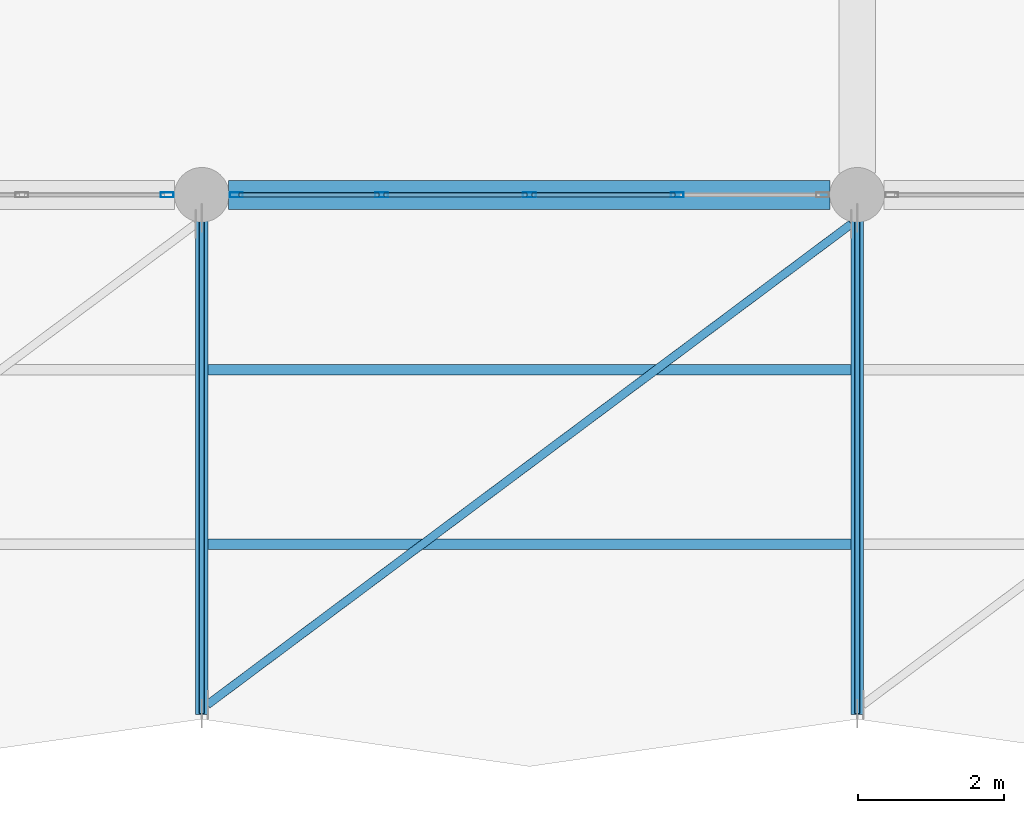
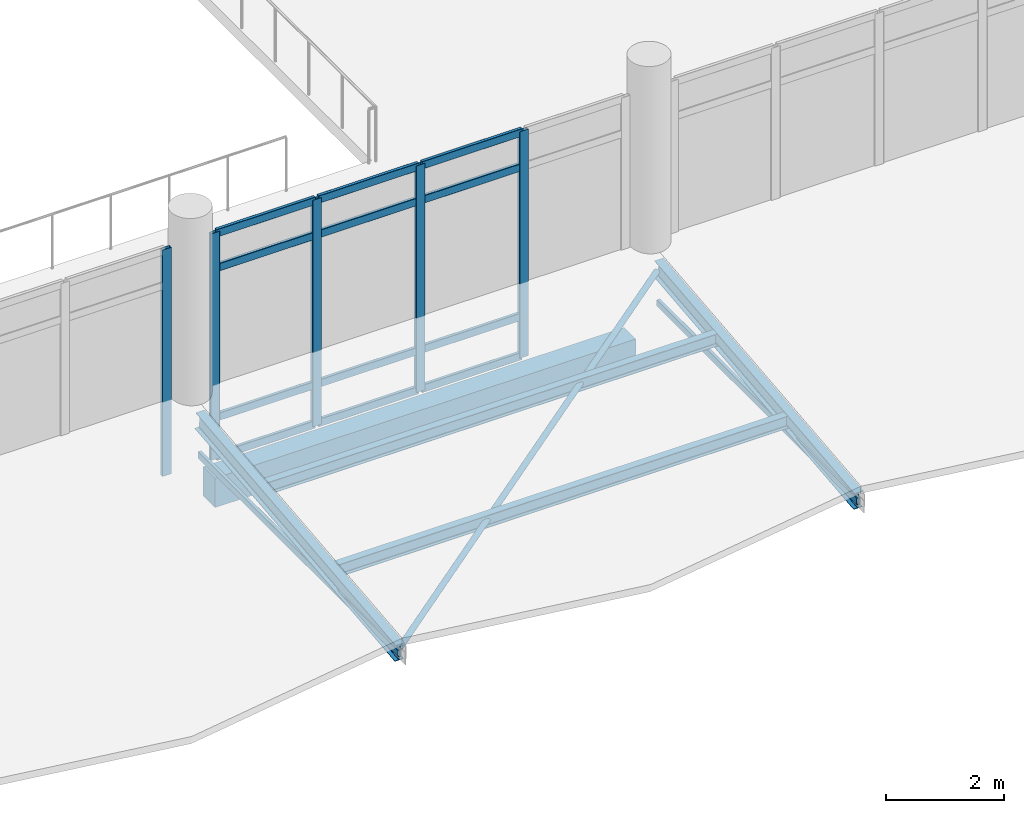
# One storey, part 38 of 180: 20 members, 5 beams, 2 elements without a shape of their own.
"""IFC4 building model written with IfcOpenShell, lengths in metres."""

from ifc_helpers import new_model, si_unit, direction, frame, origin, origin_2d, place, context, subcontext, project, spatial, rectangle, hollow_rectangle, hollow_circle, i_section, extrude, material, material_profile, profile_set, type_object, element, aggregate, save


model = new_model("IFC4")

# Units and contexts
model_context = context("Model", 3, precision=1e-05, world=origin(), true_north=direction((0.0, 1.0)))
body_context = subcontext(model_context, "Body", "Model", "MODEL_VIEW")
ifc_project = project(units=[si_unit("LENGTHUNIT", "METRE"), si_unit("AREAUNIT", "SQUARE_METRE"), si_unit("VOLUMEUNIT", "CUBIC_METRE"), si_unit("PLANEANGLEUNIT", "RADIAN"), si_unit("MASSUNIT", "GRAM", prefix="KILO")], contexts=[model_context])

# Site, building, storey
site_placement = place(None, origin())
site = spatial("IfcSite", under=ifc_project, at=site_placement, CompositionType="ELEMENT")
building_placement = place(site_placement, origin())
building = spatial("IfcBuilding", under=site, at=building_placement, Name="Lusvemor Sports Hall", CompositionType="ELEMENT")
storey_placement = place(building_placement, frame((0.0, 0.0, 5.39990234375)))
storey = spatial("IfcBuildingStorey", under=building, at=storey_placement, Name="L01", CompositionType="ELEMENT", Elevation=5.39990234375)

# Beams
ifc_material_1 = material(Name="Steel S355", Category="steel")
ifc_material_profile_1 = material_profile(ifc_material_1, i_section(OverallWidth=0.1708984375, OverallDepth=0.35498046875, WebThickness=0.007080078125, FlangeThickness=0.01171875, FilletRadius=0.014892578125, at=origin_2d()), Name="W360x51.0")
ifc_profile_set_1 = profile_set([ifc_material_profile_1], Name="Steel S355")
beam_type_1 = type_object("IfcBeamType", Name="BEAM_ST_360", PredefinedType="BEAM", material=ifc_profile_set_1)
for number, where, z_axis, x_axis, name in (
    (1, (93.60009765625, 0.080078125, 0.461181640625), (0.0, 0.99461932884, 0.103597252368), (-1.0, 0.0, 0.0), "Boulevard Canopy Rafter 10"),
    (2, (102.60009765625, 0.080078125, 0.461181640625), (0.0, 0.99461932884, 0.103597252368), (-1.0, 0.0, 0.0), "Boulevard Canopy Rafter 11"),
):
    element("IfcBeam", number, at=place(storey_placement, frame(where, z_axis=z_axis, x_axis=x_axis)), inside=storey, type_object=beam_type_1, Name=name, PredefinedType="BEAM", context=body_context, shape_type="SweptSolid", body=[
        extrude(i_section(OverallWidth=0.1708984375, OverallDepth=0.35498046875, WebThickness=0.007080078125, FlangeThickness=0.01171875, FilletRadius=0.014892578125, at=origin_2d()), origin(), (0.0, 0.0, 1.0), 6.836669921875),
    ])

# Member
ifc_material_2 = material(Name="Steel S355", Category="steel")
ifc_material_profile_2 = material_profile(ifc_material_2, hollow_circle(Radius=0.05712890625, WallThickness=0.00634765625, at=origin_2d()), Name="CHS114.3x6.3")
ifc_profile_set_2 = profile_set([ifc_material_profile_2], Name="Steel S355")
member_type_1 = type_object("IfcMemberType", Name="BRACE_CANOPY_114", PredefinedType="BRACE", material=ifc_profile_set_2)
member_1_placement = place(storey_placement, frame((93.679931640625, 0.199951171875, 0.4736328125), z_axis=(0.799750589505, 0.597101754721, 0.062197179156), x_axis=(-0.59826005728, 0.801302005403, 0.0)))
element("IfcMember", 3, at=member_1_placement, inside=storey, type_object=member_type_1, Name="Canopy Wind Brace 10", PredefinedType="BRACE", context=body_context, shape_type="SweptSolid", body=[
    extrude(hollow_circle(Radius=0.05712890625, WallThickness=0.00634765625, at=origin_2d()), origin(), (0.0, 0.0, 1.0), 11.053466796875),
])

# Curtain wall, member
ifc_material_3 = material(Name="Thermally broken bronze-anodized aluminium", Category="aluminium")
curtain_wall_type = type_object("IfcCurtainWallType", Name="CW_FOYER_A", PredefinedType="NOTDEFINED", material=ifc_material_3)
curtain_wall_1_placement = place(storey_placement, origin())
curtain_wall_1 = element("IfcCurtainWall", 4, at=curtain_wall_1_placement, inside=storey, type_object=curtain_wall_type, Name="Curtain Wall CW-V4S-L01-1", PredefinedType="NOTDEFINED")
ifc_material_4 = material(Name="Thermally broken bronze-anodized aluminium", Category="aluminium")
ifc_material_profile_3 = material_profile(ifc_material_4, hollow_rectangle(XDim=0.070068359375, YDim=0.179931640625, WallThickness=0.0048828125, InnerFilletRadius=0.0048828125, OuterFilletRadius=0.010009765625, at=origin_2d()), Name="CWMUL180x70x5")
ifc_profile_set_3 = profile_set([ifc_material_profile_3], Name="Thermally broken bronze-anodized aluminium")
member_type_2 = type_object("IfcMemberType", Name="CW_MUL_A", PredefinedType="MULLION", material=ifc_profile_set_3)
member_2_placement = place(storey_placement, frame((93.125, 7.199951171875, 0.0), z_axis=(0.0, 0.0, 1.0), x_axis=(0.0, -1.0, 0.0)))
member_2 = element("IfcMember", 5, at=member_2_placement, type_object=member_type_2, Name="CW01 mullion 1", PredefinedType="MULLION", context=body_context, shape_type="SweptSolid", body=[
    extrude(hollow_rectangle(XDim=0.070068359375, YDim=0.179931640625, WallThickness=0.0048828125, InnerFilletRadius=0.0048828125, OuterFilletRadius=0.010009765625, at=origin_2d()), origin(), (0.0, 0.0, 1.0), 4.7001953125),
])
aggregate(curtain_wall_1, [member_2])

# Curtain wall, members
curtain_wall_2_placement = place(storey_placement, origin())
curtain_wall_2 = element("IfcCurtainWall", 6, at=curtain_wall_2_placement, inside=storey, type_object=curtain_wall_type, Name="Curtain Wall CW-V4S-L01-2", PredefinedType="NOTDEFINED")
member_3_placement = place(storey_placement, frame((100.1298828125, 7.199951171875, 0.0), z_axis=(0.0, 0.0, 1.0), x_axis=(0.0, -1.0, 0.0)))
member_3 = element("IfcMember", 7, at=member_3_placement, type_object=member_type_2, Name="CW01 mullion 2", PredefinedType="MULLION", context=body_context, shape_type="SweptSolid", body=[
    extrude(hollow_rectangle(XDim=0.070068359375, YDim=0.179931640625, WallThickness=0.0048828125, InnerFilletRadius=0.0048828125, OuterFilletRadius=0.010009765625, at=origin_2d()), origin(), (0.0, 0.0, 1.0), 4.7001953125),
])
member_4_placement = place(storey_placement, frame((98.10009765625, 7.199951171875, 0.0), z_axis=(0.0, 0.0, 1.0), x_axis=(0.0, -1.0, 0.0)))
member_4 = element("IfcMember", 8, at=member_4_placement, type_object=member_type_2, Name="CW01 mullion 3", PredefinedType="MULLION", context=body_context, shape_type="SweptSolid", body=[
    extrude(hollow_rectangle(XDim=0.070068359375, YDim=0.179931640625, WallThickness=0.0048828125, InnerFilletRadius=0.0048828125, OuterFilletRadius=0.010009765625, at=origin_2d()), origin(), (0.0, 0.0, 1.0), 4.7001953125),
])
member_5_placement = place(storey_placement, frame((96.070068359375, 7.199951171875, 0.0), z_axis=(0.0, 0.0, 1.0), x_axis=(0.0, -1.0, 0.0)))
member_5 = element("IfcMember", 9, at=member_5_placement, type_object=member_type_2, Name="CW01 mullion 4", PredefinedType="MULLION", context=body_context, shape_type="SweptSolid", body=[
    extrude(hollow_rectangle(XDim=0.070068359375, YDim=0.179931640625, WallThickness=0.0048828125, InnerFilletRadius=0.0048828125, OuterFilletRadius=0.010009765625, at=origin_2d()), origin(), (0.0, 0.0, 1.0), 4.7001953125),
])
member_6_placement = place(storey_placement, frame((94.074951171875, 7.199951171875, 0.0), z_axis=(0.0, 0.0, 1.0), x_axis=(0.0, -1.0, 0.0)))
member_6 = element("IfcMember", 10, at=member_6_placement, type_object=member_type_2, Name="CW01 mullion 5", PredefinedType="MULLION", context=body_context, shape_type="SweptSolid", body=[
    extrude(hollow_rectangle(XDim=0.070068359375, YDim=0.179931640625, WallThickness=0.0048828125, InnerFilletRadius=0.0048828125, OuterFilletRadius=0.010009765625, at=origin_2d()), origin(), (0.0, 0.0, 1.0), 4.7001953125),
])
ifc_material_5 = material(Name="Thermally broken bronze-anodized aluminium", Category="aluminium")
ifc_material_profile_4 = material_profile(ifc_material_5, hollow_rectangle(XDim=0.06494140625, YDim=0.159912109375, WallThickness=0.00390625, InnerFilletRadius=0.00390625, OuterFilletRadius=0.008056640625, at=origin_2d()), Name="CWTRN160x65x4")
ifc_profile_set_4 = profile_set([ifc_material_profile_4], Name="Thermally broken bronze-anodized aluminium")
member_type_3 = type_object("IfcMemberType", Name="CW_TRN_A", PredefinedType="USERDEFINED", material=ifc_profile_set_4)
member_7_placement = place(storey_placement, frame((100.094970703125, 7.199951171875, 0.03271484375), z_axis=(-1.0, 0.0, 0.0), x_axis=(0.0, -1.0, 0.0)))
member_7 = element("IfcMember", 11, at=member_7_placement, type_object=member_type_3, Name="CW01 transom 2.1", ObjectType="TRANSOM", PredefinedType="USERDEFINED", context=body_context, shape_type="SweptSolid", body=[
    extrude(hollow_rectangle(XDim=0.06494140625, YDim=0.159912109375, WallThickness=0.00390625, InnerFilletRadius=0.00390625, OuterFilletRadius=0.008056640625, at=origin_2d()), origin(), (0.0, 0.0, 1.0), 1.9599609375),
])
member_8_placement = place(storey_placement, frame((100.094970703125, 7.199951171875, 0.85009765625), z_axis=(-1.0, 0.0, 0.0), x_axis=(0.0, -1.0, 0.0)))
member_8 = element("IfcMember", 12, at=member_8_placement, type_object=member_type_3, Name="CW01 transom 2.2", ObjectType="TRANSOM", PredefinedType="USERDEFINED", context=body_context, shape_type="SweptSolid", body=[
    extrude(hollow_rectangle(XDim=0.06494140625, YDim=0.159912109375, WallThickness=0.00390625, InnerFilletRadius=0.00390625, OuterFilletRadius=0.008056640625, at=origin_2d()), origin(), (0.0, 0.0, 1.0), 1.9599609375),
])
member_9_placement = place(storey_placement, frame((100.094970703125, 7.199951171875, 3.9501953125), z_axis=(-1.0, 0.0, 0.0), x_axis=(0.0, -1.0, 0.0)))
member_9 = element("IfcMember", 13, at=member_9_placement, type_object=member_type_3, Name="CW01 transom 2.3", ObjectType="TRANSOM", PredefinedType="USERDEFINED", context=body_context, shape_type="SweptSolid", body=[
    extrude(hollow_rectangle(XDim=0.06494140625, YDim=0.159912109375, WallThickness=0.00390625, InnerFilletRadius=0.00390625, OuterFilletRadius=0.008056640625, at=origin_2d()), origin(), (0.0, 0.0, 1.0), 1.9599609375),
])
member_10_placement = place(storey_placement, frame((100.094970703125, 7.199951171875, 4.66748046875), z_axis=(-1.0, 0.0, 0.0), x_axis=(0.0, -1.0, 0.0)))
member_10 = element("IfcMember", 14, at=member_10_placement, type_object=member_type_3, Name="CW01 transom 2.4", ObjectType="TRANSOM", PredefinedType="USERDEFINED", context=body_context, shape_type="SweptSolid", body=[
    extrude(hollow_rectangle(XDim=0.06494140625, YDim=0.159912109375, WallThickness=0.00390625, InnerFilletRadius=0.00390625, OuterFilletRadius=0.008056640625, at=origin_2d()), origin(), (0.0, 0.0, 1.0), 1.9599609375),
])
member_11_placement = place(storey_placement, frame((98.06494140625, 7.199951171875, 0.03271484375), z_axis=(-1.0, 0.0, 0.0), x_axis=(0.0, -1.0, 0.0)))
member_11 = element("IfcMember", 15, at=member_11_placement, type_object=member_type_3, Name="CW01 transom 3.1", ObjectType="TRANSOM", PredefinedType="USERDEFINED", context=body_context, shape_type="SweptSolid", body=[
    extrude(hollow_rectangle(XDim=0.06494140625, YDim=0.159912109375, WallThickness=0.00390625, InnerFilletRadius=0.00390625, OuterFilletRadius=0.008056640625, at=origin_2d()), origin(), (0.0, 0.0, 1.0), 1.9599609375),
])
member_12_placement = place(storey_placement, frame((98.06494140625, 7.199951171875, 0.85009765625), z_axis=(-1.0, 0.0, 0.0), x_axis=(0.0, -1.0, 0.0)))
member_12 = element("IfcMember", 16, at=member_12_placement, type_object=member_type_3, Name="CW01 transom 3.2", ObjectType="TRANSOM", PredefinedType="USERDEFINED", context=body_context, shape_type="SweptSolid", body=[
    extrude(hollow_rectangle(XDim=0.06494140625, YDim=0.159912109375, WallThickness=0.00390625, InnerFilletRadius=0.00390625, OuterFilletRadius=0.008056640625, at=origin_2d()), origin(), (0.0, 0.0, 1.0), 1.9599609375),
])
member_13_placement = place(storey_placement, frame((98.06494140625, 7.199951171875, 3.9501953125), z_axis=(-1.0, 0.0, 0.0), x_axis=(0.0, -1.0, 0.0)))
member_13 = element("IfcMember", 17, at=member_13_placement, type_object=member_type_3, Name="CW01 transom 3.3", ObjectType="TRANSOM", PredefinedType="USERDEFINED", context=body_context, shape_type="SweptSolid", body=[
    extrude(hollow_rectangle(XDim=0.06494140625, YDim=0.159912109375, WallThickness=0.00390625, InnerFilletRadius=0.00390625, OuterFilletRadius=0.008056640625, at=origin_2d()), origin(), (0.0, 0.0, 1.0), 1.9599609375),
])
member_14_placement = place(storey_placement, frame((98.06494140625, 7.199951171875, 4.66748046875), z_axis=(-1.0, 0.0, 0.0), x_axis=(0.0, -1.0, 0.0)))
member_14 = element("IfcMember", 18, at=member_14_placement, type_object=member_type_3, Name="CW01 transom 3.4", ObjectType="TRANSOM", PredefinedType="USERDEFINED", context=body_context, shape_type="SweptSolid", body=[
    extrude(hollow_rectangle(XDim=0.06494140625, YDim=0.159912109375, WallThickness=0.00390625, InnerFilletRadius=0.00390625, OuterFilletRadius=0.008056640625, at=origin_2d()), origin(), (0.0, 0.0, 1.0), 1.9599609375),
])
member_15_placement = place(storey_placement, frame((96.034912109375, 7.199951171875, 0.03271484375), z_axis=(-1.0, 0.0, 0.0), x_axis=(0.0, -1.0, 0.0)))
member_15 = element("IfcMember", 19, at=member_15_placement, type_object=member_type_3, Name="CW01 transom 4.1", ObjectType="TRANSOM", PredefinedType="USERDEFINED", context=body_context, shape_type="SweptSolid", body=[
    extrude(hollow_rectangle(XDim=0.06494140625, YDim=0.159912109375, WallThickness=0.00390625, InnerFilletRadius=0.00390625, OuterFilletRadius=0.008056640625, at=origin_2d()), origin(), (0.0, 0.0, 1.0), 1.9248046875),
])
member_16_placement = place(storey_placement, frame((96.034912109375, 7.199951171875, 0.85009765625), z_axis=(-1.0, 0.0, 0.0), x_axis=(0.0, -1.0, 0.0)))
member_16 = element("IfcMember", 20, at=member_16_placement, type_object=member_type_3, Name="CW01 transom 4.2", ObjectType="TRANSOM", PredefinedType="USERDEFINED", context=body_context, shape_type="SweptSolid", body=[
    extrude(hollow_rectangle(XDim=0.06494140625, YDim=0.159912109375, WallThickness=0.00390625, InnerFilletRadius=0.00390625, OuterFilletRadius=0.008056640625, at=origin_2d()), origin(), (0.0, 0.0, 1.0), 1.9248046875),
])
member_17_placement = place(storey_placement, frame((96.034912109375, 7.199951171875, 3.9501953125), z_axis=(-1.0, 0.0, 0.0), x_axis=(0.0, -1.0, 0.0)))
member_17 = element("IfcMember", 21, at=member_17_placement, type_object=member_type_3, Name="CW01 transom 4.3", ObjectType="TRANSOM", PredefinedType="USERDEFINED", context=body_context, shape_type="SweptSolid", body=[
    extrude(hollow_rectangle(XDim=0.06494140625, YDim=0.159912109375, WallThickness=0.00390625, InnerFilletRadius=0.00390625, OuterFilletRadius=0.008056640625, at=origin_2d()), origin(), (0.0, 0.0, 1.0), 1.9248046875),
])
member_18_placement = place(storey_placement, frame((96.034912109375, 7.199951171875, 4.66748046875), z_axis=(-1.0, 0.0, 0.0), x_axis=(0.0, -1.0, 0.0)))
member_18 = element("IfcMember", 22, at=member_18_placement, type_object=member_type_3, Name="CW01 transom 4.4", ObjectType="TRANSOM", PredefinedType="USERDEFINED", context=body_context, shape_type="SweptSolid", body=[
    extrude(hollow_rectangle(XDim=0.06494140625, YDim=0.159912109375, WallThickness=0.00390625, InnerFilletRadius=0.00390625, OuterFilletRadius=0.008056640625, at=origin_2d()), origin(), (0.0, 0.0, 1.0), 1.9248046875),
])
aggregate(curtain_wall_2, [member_3, member_4, member_5, member_6, member_7, member_8, member_9, member_10, member_11, member_12, member_13, member_14, member_15, member_16, member_17, member_18])

# Beams
ifc_material_6 = material(Name="Steel S355", Category="steel")
ifc_material_profile_5 = material_profile(ifc_material_6, i_section(OverallWidth=0.14599609375, OverallDepth=0.258056640625, WebThickness=0.006103515625, FlangeThickness=0.009033203125, FilletRadius=0.012939453125, at=origin_2d()), Name="W250x32.7")
ifc_profile_set_5 = profile_set([ifc_material_profile_5], Name="Steel S355")
beam_type_2 = type_object("IfcBeamType", Name="JOIST_CANOPY", PredefinedType="JOIST", material=ifc_profile_set_5)
for number, where, z_axis, x_axis, name in (
    (23, (93.679931640625, 2.39990234375, 0.74658203125), (1.0, 0.0, 0.0), (0.0, 1.0, 0.0), "Canopy Purlin Joist 10-1"),
    (24, (93.679931640625, 4.800048828125, 0.99658203125), (1.0, 0.0, 0.0), (0.0, 1.0, 0.0), "Canopy Purlin Joist 10-2"),
):
    element("IfcBeam", number, at=place(storey_placement, frame(where, z_axis=z_axis, x_axis=x_axis)), inside=storey, type_object=beam_type_2, Name=name, PredefinedType="JOIST", context=body_context, shape_type="SweptSolid", body=[
        extrude(i_section(OverallWidth=0.14599609375, OverallDepth=0.258056640625, WebThickness=0.006103515625, FlangeThickness=0.009033203125, FilletRadius=0.012939453125, at=origin_2d()), origin(), (0.0, 0.0, 1.0), 8.840087890625),
    ])
ifc_material_7 = material(Name="Concrete C40/50", Category="concrete")
ifc_material_profile_6 = material_profile(ifc_material_7, rectangle(XDim=0.39990234375, YDim=0.610107421875, at=origin_2d()), Name="RC400x610")
ifc_profile_set_6 = profile_set([ifc_material_profile_6], Name="Concrete C40/50")
beam_type_3 = type_object("IfcBeamType", Name="SPAND_EXT_650", PredefinedType="SPANDREL", material=ifc_profile_set_6)
beam_placement = place(storey_placement, frame((93.970947265625, 7.199951171875, -0.56494140625), z_axis=(1.0, 0.0, 0.0), x_axis=(0.0, 1.0, 0.0)))
element("IfcBeam", 25, at=beam_placement, inside=storey, type_object=beam_type_3, Name="Beam L01 B:10-11", PredefinedType="SPANDREL", context=body_context, shape_type="SweptSolid", body=[
    extrude(rectangle(XDim=0.39990234375, YDim=0.610107421875, at=origin_2d()), origin(), (0.0, 0.0, 1.0), 8.258056640625),
])

# Members
ifc_material_8 = material(Name="Steel S355", Category="steel")
ifc_material_profile_7 = material_profile(ifc_material_8, hollow_rectangle(XDim=0.070068359375, YDim=0.139892578125, WallThickness=0.0048828125, InnerFilletRadius=0.0048828125, OuterFilletRadius=0.010009765625, at=origin_2d()), Name="RHS140x70x5")
ifc_profile_set_7 = profile_set([ifc_material_profile_7], Name="Steel S355")
member_type_4 = type_object("IfcMemberType", Name="STRUT_TIE_140", PredefinedType="STRUT", material=ifc_profile_set_7)
for number, where, z_axis, x_axis, name in (
    (26, (93.60009765625, 0.080078125, 0.440185546875), (0.0, 1.0, 0.0), (-1.0, 0.0, 0.0), "Canopy Tie Rod 10"),
    (27, (102.60009765625, 0.080078125, 0.440185546875), (0.0, 1.0, 0.0), (-1.0, 0.0, 0.0), "Canopy Tie Rod 11"),
):
    element("IfcMember", number, at=place(storey_placement, frame(where, z_axis=z_axis, x_axis=x_axis)), inside=storey, type_object=member_type_4, Name=name, PredefinedType="STRUT", context=body_context, shape_type="SweptSolid", body=[
        extrude(hollow_rectangle(XDim=0.070068359375, YDim=0.139892578125, WallThickness=0.0048828125, InnerFilletRadius=0.0048828125, OuterFilletRadius=0.010009765625, at=origin_2d()), origin(), (0.0, 0.0, 1.0), 6.7998046875),
    ])

save(model, "model.ifc")
